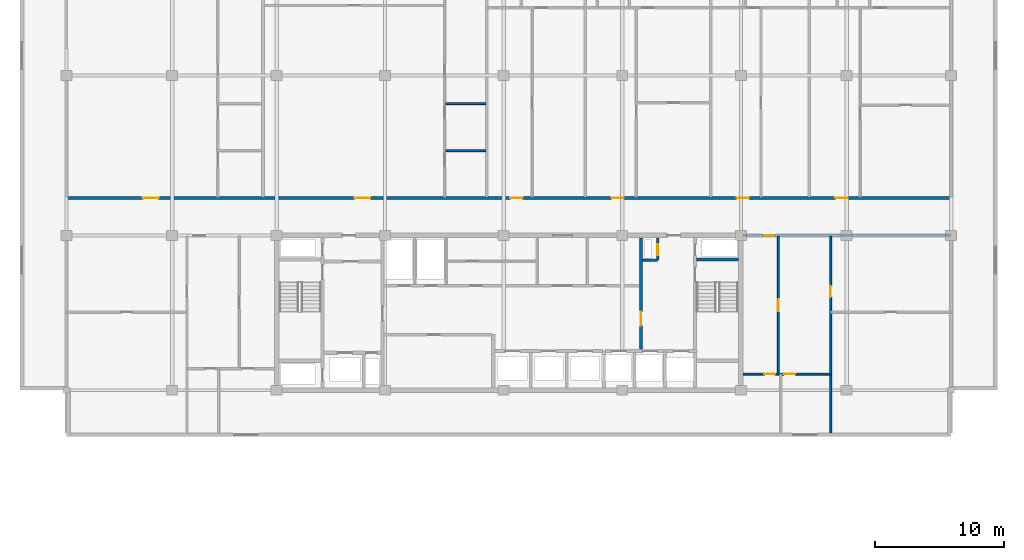
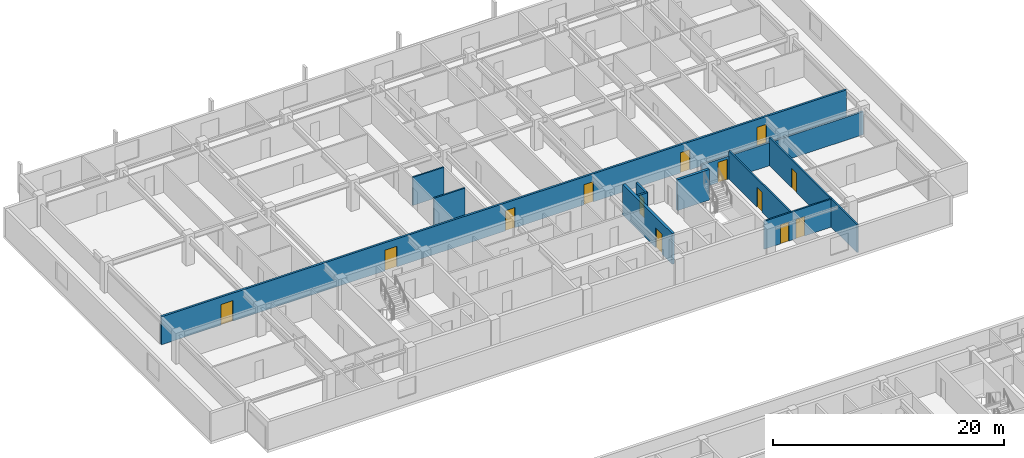
# One storey, part 12 of 21: 13 doors, 11 walls, 13 openings.
"""IFC4 building model written with IfcOpenShell, lengths in metres."""

from ifc_helpers import new_model, si_unit, direction, frame, frame_2d, origin, place, context, subcontext, project, spatial, rectangle, extrude, material, layer, layer_set, type_object, element, fill, save


model = new_model("IFC4")

# Units and contexts
model_context = context("Model", 3, precision=1e-05, world=origin(), true_north=direction((0.0, 1.0)))
body_context = subcontext(model_context, "Body", "Model", "MODEL_VIEW")
ifc_project = project(units=[si_unit("LENGTHUNIT", "METRE"), si_unit("AREAUNIT", "SQUARE_METRE"), si_unit("VOLUMEUNIT", "CUBIC_METRE"), si_unit("PLANEANGLEUNIT", "RADIAN"), si_unit("MASSUNIT", "GRAM", prefix="KILO")], contexts=[model_context])

# Site, building, storey
site_placement = place(None, origin())
site = spatial("IfcSite", under=ifc_project, at=site_placement, CompositionType="ELEMENT")
building_placement = place(site_placement, origin())
building = spatial("IfcBuilding", under=site, at=building_placement, Name="Korimba Cascade Residences", CompositionType="ELEMENT")
storey_placement = place(building_placement, frame((0.0, 0.0, 175.10009765625)))
storey = spatial("IfcBuildingStorey", under=building, at=storey_placement, Name="L50", CompositionType="ELEMENT", Elevation=175.10009765625)

# Wall, opening, door
ifc_material_1 = material(Name="Precast concrete C40/50", Category="concrete")
ifc_layer_1 = layer(ifc_material_1, 0.199951171875)
ifc_layer_set_1 = layer_set([ifc_layer_1], Name="Precast concrete C40/50")
wall_type_1 = type_object("IfcWallType", Name="WAL-IT-200", PredefinedType="PARTITIONING", material=ifc_layer_set_1)
wall_1_placement = place(storey_placement, frame((112.25, 67.199951171875, 0.0), z_axis=(0.0, 0.0, 1.0), x_axis=(1.0, 0.0, 0.0)))
wall_1 = element("IfcWall", 1, at=wall_1_placement, inside=storey, type_object=wall_type_1, Name="L50 Partition Wall WAL-L50-T1-FE-N", PredefinedType="PARTITIONING", context=body_context, shape_type="SweptSolid", body=[
    extrude(rectangle(XDim=16.14990234375, YDim=0.199951171875, at=frame_2d((8.074951171875, 0.0))), origin(), (0.0, 0.0, 1.0), 2.43310546875),
])
opening_1_placement = place(wall_1_placement, frame((1.580078125, 0.0, 0.0)))
opening_1 = element("IfcOpeningElement", 2, at=opening_1_placement, cuts=wall_1, Name="Opening D-UN1", PredefinedType="OPENING", context=body_context, shape_type="SweptSolid", body=[
    extrude(rectangle(XDim=0.949951171875, YDim=2.14990234375, at=frame_2d((0.47509765625, 1.074951171875))), frame((0.0, 0.10986328125, 0.0), z_axis=(0.0, -1.0, 0.0), x_axis=(1.0, 0.0, 0.0)), (0.0, 0.0, 1.0), 0.219970703125),
])
ifc_material_2 = material(Name="Fire-Rated Hardwood Apartment Entrance Door", Category="wood")
door_type_1 = type_object("IfcDoorType", Name="DR-FD60-950", OperationType="NOTDEFINED", PredefinedType="DOOR", material=ifc_material_2)
door_1_placement = place(opening_1_placement, origin())
door_1 = element("IfcDoor", 3, at=door_1_placement, inside=storey, type_object=door_type_1, Name="L50-T1-FE Entrance Door", OperationType="SINGLE_SWING_RIGHT", OverallHeight=2.14990234375, OverallWidth=0.949951171875, PredefinedType="DOOR", context=body_context, shape_type="SweptSolid", body=[
    extrude(rectangle(XDim=0.949951171875, YDim=2.14990234375, at=frame_2d((0.47509765625, 1.074951171875))), frame((0.0, 0.02490234375, 0.0), z_axis=(0.0, -1.0, 0.0), x_axis=(1.0, 0.0, 0.0)), (0.0, 0.0, 1.0), 0.050048828125),
])
fill(opening_1, door_1)

# Wall, openings, doors
wall_2_placement = place(storey_placement, frame((59.800048828125, 70.10009765625, 0.0), z_axis=(0.0, 0.0, 1.0), x_axis=(1.0, 0.0, 0.0)))
wall_2 = element("IfcWall", 4, at=wall_2_placement, inside=storey, type_object=wall_type_1, Name="L50 Partition Wall WAL-L50-T1-CORN", PredefinedType="PARTITIONING", context=body_context, shape_type="SweptSolid", body=[
    extrude(rectangle(XDim=68.599853515625, YDim=0.199951171875, at=frame_2d((34.2998046875, 0.0))), origin(), (0.0, 0.0, 1.0), 2.969970703125),
])
opening_2_placement = place(wall_2_placement, frame((5.9306640625, 0.0, 0.0)))
opening_2 = element("IfcOpeningElement", 5, at=opening_2_placement, cuts=wall_2, Name="Opening D-AM1", PredefinedType="OPENING", context=body_context, shape_type="SweptSolid", body=[
    extrude(rectangle(XDim=1.219970703125, YDim=2.179931640625, at=frame_2d((0.60986328125, 1.08984375))), frame((0.0, 0.10986328125, 0.0), z_axis=(0.0, -1.0, 0.0), x_axis=(1.0, 0.0, 0.0)), (0.0, 0.0, 1.0), 0.219970703125),
])
opening_3_placement = place(wall_2_placement, frame((22.347900390625, 0.0, 0.0)))
opening_3 = element("IfcOpeningElement", 6, at=opening_3_placement, cuts=wall_2, Name="Opening D-AM1", PredefinedType="OPENING", context=body_context, shape_type="SweptSolid", body=[
    extrude(rectangle(XDim=1.219970703125, YDim=2.179931640625, at=frame_2d((0.60986328125, 1.08984375))), frame((0.0, 0.10986328125, 0.0), z_axis=(0.0, -1.0, 0.0), x_axis=(1.0, 0.0, 0.0)), (0.0, 0.0, 1.0), 0.219970703125),
])
opening_4_placement = place(wall_2_placement, frame((34.421875, 0.0, 0.0)))
opening_4 = element("IfcOpeningElement", 7, at=opening_4_placement, cuts=wall_2, Name="Opening D-UN1", PredefinedType="OPENING", context=body_context, shape_type="SweptSolid", body=[
    extrude(rectangle(XDim=0.949951171875, YDim=2.14990234375, at=frame_2d((0.47509765625, 1.074951171875))), frame((0.0, 0.10986328125, 0.0), z_axis=(0.0, -1.0, 0.0), x_axis=(1.0, 0.0, 0.0)), (0.0, 0.0, 1.0), 0.219970703125),
])
opening_5_placement = place(wall_2_placement, frame((42.268798828125, 0.0, 0.0)))
opening_5 = element("IfcOpeningElement", 8, at=opening_5_placement, cuts=wall_2, Name="Opening D-UN1", PredefinedType="OPENING", context=body_context, shape_type="SweptSolid", body=[
    extrude(rectangle(XDim=0.949951171875, YDim=2.14990234375, at=frame_2d((0.47509765625, 1.074951171875))), frame((0.0, 0.10986328125, 0.0), z_axis=(0.0, -1.0, 0.0), x_axis=(1.0, 0.0, 0.0)), (0.0, 0.0, 1.0), 0.219970703125),
])
opening_6_placement = place(wall_2_placement, frame((51.971923828125, 0.0, 0.0)))
opening_6 = element("IfcOpeningElement", 9, at=opening_6_placement, cuts=wall_2, Name="Opening D-UN1", PredefinedType="OPENING", context=body_context, shape_type="SweptSolid", body=[
    extrude(rectangle(XDim=0.949951171875, YDim=2.14990234375, at=frame_2d((0.47509765625, 1.074951171875))), frame((0.0, 0.10986328125, 0.0), z_axis=(0.0, -1.0, 0.0), x_axis=(1.0, 0.0, 0.0)), (0.0, 0.0, 1.0), 0.219970703125),
])
opening_7_placement = place(wall_2_placement, frame((59.62890625, 0.0, 0.0)))
opening_7 = element("IfcOpeningElement", 10, at=opening_7_placement, cuts=wall_2, Name="Opening D-UN1", PredefinedType="OPENING", context=body_context, shape_type="SweptSolid", body=[
    extrude(rectangle(XDim=0.949951171875, YDim=2.14990234375, at=frame_2d((0.47509765625, 1.074951171875))), frame((0.0, 0.10986328125, 0.0), z_axis=(0.0, -1.0, 0.0), x_axis=(1.0, 0.0, 0.0)), (0.0, 0.0, 1.0), 0.219970703125),
])
ifc_material_3 = material(Name="Fire-Rated Glazed Timber Suite Door", Category="wood")
door_type_2 = type_object("IfcDoorType", Name="DR-FD60-1200", OperationType="NOTDEFINED", PredefinedType="DOOR", material=ifc_material_3)
door_2_placement = place(opening_2_placement, origin())
door_2 = element("IfcDoor", 11, at=door_2_placement, inside=storey, type_object=door_type_2, Name="L50-T1-U01 Business Collaboration Office Door", OperationType="SINGLE_SWING_RIGHT", OverallHeight=2.179931640625, OverallWidth=1.219970703125, PredefinedType="DOOR", context=body_context, shape_type="SweptSolid", body=[
    extrude(rectangle(XDim=1.219970703125, YDim=2.179931640625, at=frame_2d((0.60986328125, 1.08984375))), frame((0.0, 0.02490234375, 0.0), z_axis=(0.0, -1.0, 0.0), x_axis=(1.0, 0.0, 0.0)), (0.0, 0.0, 1.0), 0.050048828125),
])
fill(opening_2, door_2)
door_3_placement = place(opening_3_placement, origin())
door_3 = element("IfcDoor", 12, at=door_3_placement, inside=storey, type_object=door_type_2, Name="L50-T1-U02 Health Consultation Clinic Door", OperationType="SINGLE_SWING_LEFT", OverallHeight=2.179931640625, OverallWidth=1.219970703125, PredefinedType="DOOR", context=body_context, shape_type="SweptSolid", body=[
    extrude(rectangle(XDim=1.219970703125, YDim=2.179931640625, at=frame_2d((0.60986328125, 1.08984375))), frame((0.0, 0.02490234375, 0.0), z_axis=(0.0, -1.0, 0.0), x_axis=(1.0, 0.0, 0.0)), (0.0, 0.0, 1.0), 0.050048828125),
])
fill(opening_3, door_3)
door_4_placement = place(opening_4_placement, origin())
door_4 = element("IfcDoor", 13, at=door_4_placement, inside=storey, type_object=door_type_1, Name="Unit L50-T1-U03 Entrance Door", OperationType="SINGLE_SWING_RIGHT", OverallHeight=2.14990234375, OverallWidth=0.949951171875, PredefinedType="DOOR", context=body_context, shape_type="SweptSolid", body=[
    extrude(rectangle(XDim=0.949951171875, YDim=2.14990234375, at=frame_2d((0.47509765625, 1.074951171875))), frame((0.0, 0.02490234375, 0.0), z_axis=(0.0, -1.0, 0.0), x_axis=(1.0, 0.0, 0.0)), (0.0, 0.0, 1.0), 0.050048828125),
])
fill(opening_4, door_4)
door_5_placement = place(opening_5_placement, origin())
door_5 = element("IfcDoor", 14, at=door_5_placement, inside=storey, type_object=door_type_1, Name="Unit L50-T1-U04 Entrance Door", OperationType="SINGLE_SWING_LEFT", OverallHeight=2.14990234375, OverallWidth=0.949951171875, PredefinedType="DOOR", context=body_context, shape_type="SweptSolid", body=[
    extrude(rectangle(XDim=0.949951171875, YDim=2.14990234375, at=frame_2d((0.47509765625, 1.074951171875))), frame((0.0, 0.02490234375, 0.0), z_axis=(0.0, -1.0, 0.0), x_axis=(1.0, 0.0, 0.0)), (0.0, 0.0, 1.0), 0.050048828125),
])
fill(opening_5, door_5)
door_6_placement = place(opening_6_placement, origin())
door_6 = element("IfcDoor", 15, at=door_6_placement, inside=storey, type_object=door_type_1, Name="Unit L50-T1-U05 Entrance Door", OperationType="SINGLE_SWING_RIGHT", OverallHeight=2.14990234375, OverallWidth=0.949951171875, PredefinedType="DOOR", context=body_context, shape_type="SweptSolid", body=[
    extrude(rectangle(XDim=0.949951171875, YDim=2.14990234375, at=frame_2d((0.47509765625, 1.074951171875))), frame((0.0, 0.02490234375, 0.0), z_axis=(0.0, -1.0, 0.0), x_axis=(1.0, 0.0, 0.0)), (0.0, 0.0, 1.0), 0.050048828125),
])
fill(opening_6, door_6)
door_7_placement = place(opening_7_placement, origin())
door_7 = element("IfcDoor", 16, at=door_7_placement, inside=storey, type_object=door_type_1, Name="Unit L50-T1-U06 Entrance Door", OperationType="SINGLE_SWING_LEFT", OverallHeight=2.14990234375, OverallWidth=0.949951171875, PredefinedType="DOOR", context=body_context, shape_type="SweptSolid", body=[
    extrude(rectangle(XDim=0.949951171875, YDim=2.14990234375, at=frame_2d((0.47509765625, 1.074951171875))), frame((0.0, 0.02490234375, 0.0), z_axis=(0.0, -1.0, 0.0), x_axis=(1.0, 0.0, 0.0)), (0.0, 0.0, 1.0), 0.050048828125),
])
fill(opening_7, door_7)

# Wall, opening, door
ifc_material_4 = material(Name="Insulated Acoustic Stud Partition", Category="gypsum")
ifc_layer_2 = layer(ifc_material_4, 0.14990234375)
ifc_layer_set_2 = layer_set([ifc_layer_2], Name="Insulated Acoustic Stud Partition")
wall_type_2 = type_object("IfcWallType", Name="WAL-PART-150", PredefinedType="PARTITIONING", material=ifc_layer_set_2)
wall_3_placement = place(storey_placement, frame((119.050048828125, 51.89990234375, 0.0), z_axis=(0.0, 0.0, 1.0), x_axis=(0.0, 1.0, 0.0)))
wall_3 = element("IfcWall", 17, at=wall_3_placement, inside=storey, type_object=wall_type_2, Name="L50 Partition Wall WAL-L50-T1-FE-STV", PredefinedType="PARTITIONING", context=body_context, shape_type="SweptSolid", body=[
    extrude(rectangle(XDim=15.25, YDim=0.14990234375, at=frame_2d((7.625, 0.0))), origin(), (0.0, 0.0, 1.0), 2.969970703125),
])
opening_8_placement = place(wall_3_placement, frame((10.5, 0.0, 0.0)))
opening_8 = element("IfcOpeningElement", 18, at=opening_8_placement, cuts=wall_3, Name="Opening D-IN2", PredefinedType="OPENING", context=body_context, shape_type="SweptSolid", body=[
    extrude(rectangle(XDim=0.8798828125, YDim=2.06005859375, at=frame_2d((0.43994140625, 1.030029296875))), frame((0.0, 0.0849609375, 0.0), z_axis=(0.0, -1.0, 0.0), x_axis=(1.0, 0.0, 0.0)), (0.0, 0.0, 1.0), 0.169921875),
])
ifc_material_5 = material(Name="Acoustic Timber Bedroom Door", Category="wood")
door_type_3 = type_object("IfcDoorType", Name="DR-INT-880", OperationType="NOTDEFINED", PredefinedType="DOOR", material=ifc_material_5)
door_8_placement = place(opening_8_placement, origin())
door_8 = element("IfcDoor", 19, at=door_8_placement, inside=storey, type_object=door_type_3, Name="L50-T1-FE Study Door", OperationType="SINGLE_SWING_RIGHT", OverallHeight=2.06005859375, OverallWidth=0.8798828125, PredefinedType="DOOR", context=body_context, shape_type="SweptSolid", body=[
    extrude(rectangle(XDim=0.8798828125, YDim=2.06005859375, at=frame_2d((0.43994140625, 1.030029296875))), frame((0.0, 0.02490234375, 0.0), z_axis=(0.0, -1.0, 0.0), x_axis=(1.0, 0.0, 0.0)), (0.0, 0.0, 1.0), 0.050048828125),
])
fill(opening_8, door_8)

wall_4_placement = place(storey_placement, frame((115.0, 56.449951171875, 0.0), z_axis=(0.0, 0.0, 1.0), x_axis=(0.0, 1.0, 0.0)))
wall_4 = element("IfcWall", 20, at=wall_4_placement, inside=storey, type_object=wall_type_2, Name="L50 Partition Wall WAL-L50-T1-FE-VN", PredefinedType="PARTITIONING", context=body_context, shape_type="SweptSolid", body=[
    extrude(rectangle(XDim=10.699951171875, YDim=0.14990234375, at=frame_2d((5.35009765625, 0.0))), origin(), (0.0, 0.0, 1.0), 2.969970703125),
])
opening_9_placement = place(wall_4_placement, frame((4.889892578125, 0.0, 0.0)))
opening_9 = element("IfcOpeningElement", 21, at=opening_9_placement, cuts=wall_4, Name="Opening D-IN1", PredefinedType="OPENING", context=body_context, shape_type="SweptSolid", body=[
    extrude(rectangle(XDim=0.919921875, YDim=2.080078125, at=frame_2d((0.4599609375, 1.0400390625))), frame((0.0, 0.0849609375, 0.0), z_axis=(0.0, -1.0, 0.0), x_axis=(1.0, 0.0, 0.0)), (0.0, 0.0, 1.0), 0.169921875),
])
ifc_material_6 = material(Name="Acoustic Timber Living Door", Category="wood")
door_type_4 = type_object("IfcDoorType", Name="DR-INT-920", OperationType="NOTDEFINED", PredefinedType="DOOR", material=ifc_material_6)
door_9_placement = place(opening_9_placement, origin())
door_9 = element("IfcDoor", 22, at=door_9_placement, inside=storey, type_object=door_type_4, Name="L50-T1-FE Living Door", OperationType="SINGLE_SWING_LEFT", OverallHeight=2.080078125, OverallWidth=0.919921875, PredefinedType="DOOR", context=body_context, shape_type="SweptSolid", body=[
    extrude(rectangle(XDim=0.919921875, YDim=2.080078125, at=frame_2d((0.4599609375, 1.0400390625))), frame((0.0, 0.02490234375, 0.0), z_axis=(0.0, -1.0, 0.0), x_axis=(1.0, 0.0, 0.0)), (0.0, 0.0, 1.0), 0.050048828125),
])
fill(opening_9, door_9)

# Wall, openings, doors
wall_5_placement = place(storey_placement, frame((112.27001953125, 56.449951171875, 0.0), z_axis=(0.0, 0.0, 1.0), x_axis=(1.0, 0.0, 0.0)))
wall_5 = element("IfcWall", 23, at=wall_5_placement, inside=storey, type_object=wall_type_2, Name="L50 Partition Wall WAL-L50-T1-FE-H", PredefinedType="PARTITIONING", context=body_context, shape_type="SweptSolid", body=[
    extrude(rectangle(XDim=6.760009765625, YDim=0.14990234375, at=frame_2d((3.3798828125, 0.0))), origin(), (0.0, 0.0, 1.0), 2.969970703125),
])
opening_10_placement = place(wall_5_placement, frame((1.6396484375, 0.0, 0.0)))
opening_10 = element("IfcOpeningElement", 24, at=opening_10_placement, cuts=wall_5, Name="Opening D-BT1", PredefinedType="OPENING", context=body_context, shape_type="SweptSolid", body=[
    extrude(rectangle(XDim=0.840087890625, YDim=2.0400390625, at=frame_2d((0.419921875, 1.02001953125))), frame((0.0, 0.0849609375, 0.0), z_axis=(0.0, -1.0, 0.0), x_axis=(1.0, 0.0, 0.0)), (0.0, 0.0, 1.0), 0.169921875),
])
opening_11_placement = place(wall_5_placement, frame((3.160400390625, 0.0, 0.0)))
opening_11 = element("IfcOpeningElement", 25, at=opening_11_placement, cuts=wall_5, Name="Opening D-IN2", PredefinedType="OPENING", context=body_context, shape_type="SweptSolid", body=[
    extrude(rectangle(XDim=0.8798828125, YDim=2.06005859375, at=frame_2d((0.43994140625, 1.030029296875))), frame((0.0, 0.0849609375, 0.0), z_axis=(0.0, -1.0, 0.0), x_axis=(1.0, 0.0, 0.0)), (0.0, 0.0, 1.0), 0.169921875),
])
ifc_material_7 = material(Name="Moisture-Resistant Bathroom Timber Door", Category="wood")
door_type_5 = type_object("IfcDoorType", Name="DR-INT-850", OperationType="NOTDEFINED", PredefinedType="DOOR", material=ifc_material_7)
door_10_placement = place(opening_10_placement, origin())
door_10 = element("IfcDoor", 26, at=door_10_placement, inside=storey, type_object=door_type_5, Name="L50-T1-FE Bathroom Door", OperationType="SINGLE_SWING_RIGHT", OverallHeight=2.0400390625, OverallWidth=0.840087890625, PredefinedType="DOOR", context=body_context, shape_type="SweptSolid", body=[
    extrude(rectangle(XDim=0.840087890625, YDim=2.0400390625, at=frame_2d((0.419921875, 1.02001953125))), frame((0.0, 0.02490234375, 0.0), z_axis=(0.0, -1.0, 0.0), x_axis=(1.0, 0.0, 0.0)), (0.0, 0.0, 1.0), 0.050048828125),
])
fill(opening_10, door_10)
door_11_placement = place(opening_11_placement, origin())
door_11 = element("IfcDoor", 27, at=door_11_placement, inside=storey, type_object=door_type_3, Name="L50-T1-FE Bedroom Door", OperationType="SINGLE_SWING_LEFT", OverallHeight=2.06005859375, OverallWidth=0.8798828125, PredefinedType="DOOR", context=body_context, shape_type="SweptSolid", body=[
    extrude(rectangle(XDim=0.8798828125, YDim=2.06005859375, at=frame_2d((0.43994140625, 1.030029296875))), frame((0.0, 0.02490234375, 0.0), z_axis=(0.0, -1.0, 0.0), x_axis=(1.0, 0.0, 0.0)), (0.0, 0.0, 1.0), 0.050048828125),
])
fill(opening_11, door_11)

# Walls
for number, where, z_axis, x_axis, name in (
    (28, (89.194580078125, 73.77001953125, 0.0), (0.0, 0.0, 1.0), (1.0, 0.0, 0.0), "L50 Partition Wall WAL-L50-T1-U02-WCH"),
    (29, (89.194580078125, 77.419921875, 0.0), (0.0, 0.0, 1.0), (1.0, 0.0, 0.0), "L50 Partition Wall WAL-L50-T1-U02-WCH2"),
):
    element("IfcWall", number, at=place(storey_placement, frame(where, z_axis=z_axis, x_axis=x_axis)), inside=storey, type_object=wall_type_2, Name=name, PredefinedType="PARTITIONING", context=body_context, shape_type="SweptSolid", body=[
        extrude(rectangle(XDim=3.130126953125, YDim=0.14990234375, at=frame_2d((1.56494140625, 0.0))), origin(), (0.0, 0.0, 1.0), 2.969970703125),
    ])
ifc_material_8 = material(Name="Concrete C40/50", Category="concrete")
ifc_layer_3 = layer(ifc_material_8, 0.199951171875)
ifc_layer_set_3 = layer_set([ifc_layer_3], Name="Concrete C40/50")
wall_type_3 = type_object("IfcWallType", Name="WAL-PART-200", PredefinedType="PARTITIONING", material=ifc_layer_set_3)
wall_6_placement = place(storey_placement, frame((104.449951171875, 65.280029296875, 0.0), z_axis=(0.0, 0.0, 1.0), x_axis=(1.0, 0.0, 0.0)))
element("IfcWall", 30, at=wall_6_placement, inside=storey, type_object=wall_type_3, Name="L50 Partition Wall CW-L50-T1-HYDW2S", PredefinedType="PARTITIONING", context=body_context, shape_type="SweptSolid", body=[
    extrude(rectangle(XDim=1.199951171875, YDim=0.199951171875, at=frame_2d((0.60009765625, 0.0))), origin(), (0.0, 0.0, 1.0), 2.969970703125),
])

# Wall, opening, door
wall_7_placement = place(storey_placement, frame((105.64990234375, 65.280029296875, 0.0), z_axis=(0.0, 0.0, 1.0), x_axis=(0.0, 1.0, 0.0)))
wall_7 = element("IfcWall", 31, at=wall_7_placement, inside=storey, type_object=wall_type_3, Name="L50 Partition Wall CW-L50-T1-HYDW2E", PredefinedType="PARTITIONING", context=body_context, shape_type="SweptSolid", body=[
    extrude(rectangle(XDim=1.719970703125, YDim=0.199951171875, at=frame_2d((0.85986328125, 0.0))), origin(), (0.0, 0.0, 1.0), 2.969970703125),
])
opening_12_placement = place(wall_7_placement, frame((0.39990234375, 0.0, 0.0)))
opening_12 = element("IfcOpeningElement", 32, at=opening_12_placement, cuts=wall_7, Name="Opening D-RS1", PredefinedType="OPENING", context=body_context, shape_type="SweptSolid", body=[
    extrude(rectangle(XDim=0.85009765625, YDim=2.050048828125, at=frame_2d((0.425048828125, 1.02490234375))), frame((0.0, 0.10986328125, 0.0), z_axis=(0.0, -1.0, 0.0), x_axis=(1.0, 0.0, 0.0)), (0.0, 0.0, 1.0), 0.219970703125),
])
ifc_material_9 = material(Name="Fire-Rated Steel Riser Access Door", Category="steel")
door_type_6 = type_object("IfcDoorType", Name="DR-FD60-850", OperationType="NOTDEFINED", PredefinedType="DOOR", material=ifc_material_9)
door_12_placement = place(opening_12_placement, origin())
door_12 = element("IfcDoor", 33, at=door_12_placement, inside=storey, type_object=door_type_6, Name="L50 East Hydrant Door", OperationType="SINGLE_SWING_LEFT", OverallHeight=2.050048828125, OverallWidth=0.85009765625, PredefinedType="DOOR", context=body_context, shape_type="SweptSolid", body=[
    extrude(rectangle(XDim=0.85009765625, YDim=2.050048828125, at=frame_2d((0.425048828125, 1.02490234375))), frame((0.0, 0.02490234375, 0.0), z_axis=(0.0, -1.0, 0.0), x_axis=(1.0, 0.0, 0.0)), (0.0, 0.0, 1.0), 0.050048828125),
])
fill(opening_12, door_12)

ifc_material_10 = material(Name="Concrete C50/60", Category="concrete")
ifc_layer_4 = layer(ifc_material_10, 0.25)
ifc_layer_set_4 = layer_set([ifc_layer_4], Name="Concrete C50/60")
wall_type_4 = type_object("IfcWallType", Name="WAL-SHAFT-250", PredefinedType="SHEAR", material=ifc_layer_set_4)
wall_8_placement = place(storey_placement, frame((104.35009765625, 58.39990234375, 0.0), z_axis=(0.0, 0.0, 1.0), x_axis=(0.0, 1.0, 0.0)))
wall_8 = element("IfcWall", 34, at=wall_8_placement, inside=storey, type_object=wall_type_4, Name="L50 Core Shear Wall CW-L50-T1-LLEV", PredefinedType="SHEAR", context=body_context, shape_type="SweptSolid", body=[
    extrude(rectangle(XDim=8.60009765625, YDim=0.25, at=frame_2d((4.300048828125, 0.0))), origin(), (0.0, 0.0, 1.0), 3.25),
])
opening_13_placement = place(wall_8_placement, frame((1.800048828125, 0.0, 0.0)))
opening_13 = element("IfcOpeningElement", 35, at=opening_13_placement, cuts=wall_8, Name="Opening D-FD1", PredefinedType="OPENING", context=body_context, shape_type="SweptSolid", body=[
    extrude(rectangle(XDim=1.10009765625, YDim=2.10009765625, at=frame_2d((0.550048828125, 1.050048828125))), frame((0.0, 0.135009765625, 0.0), z_axis=(0.0, -1.0, 0.0), x_axis=(1.0, 0.0, 0.0)), (0.0, 0.0, 1.0), 0.27001953125),
])
ifc_material_11 = material(Name="Fire-Rated Steel Core Door", Category="steel")
door_type_7 = type_object("IfcDoorType", Name="DR-FD120-1100", OperationType="NOTDEFINED", PredefinedType="DOOR", material=ifc_material_11)
door_13_placement = place(opening_13_placement, origin())
door_13 = element("IfcDoor", 36, at=door_13_placement, inside=storey, type_object=door_type_7, Name="L50 Lift Lobby to East Firefighting Lobby Door", OperationType="SINGLE_SWING_RIGHT", OverallHeight=2.10009765625, OverallWidth=1.10009765625, PredefinedType="DOOR", context=body_context, shape_type="SweptSolid", body=[
    extrude(rectangle(XDim=1.10009765625, YDim=2.10009765625, at=frame_2d((0.550048828125, 1.050048828125))), frame((0.0, 0.02490234375, 0.0), z_axis=(0.0, -1.0, 0.0), x_axis=(1.0, 0.0, 0.0)), (0.0, 0.0, 1.0), 0.050048828125),
])
fill(opening_13, door_13)

# Wall
wall_9_placement = place(storey_placement, frame((108.659912109375, 65.324951171875, 0.0), z_axis=(0.0, 0.0, 1.0), x_axis=(1.0, 0.0, 0.0)))
element("IfcWall", 37, at=wall_9_placement, inside=storey, type_object=wall_type_4, Name="L50 Core Shear Wall CW-L50-T1-STW2N", PredefinedType="SHEAR", context=body_context, shape_type="SweptSolid", body=[
    extrude(rectangle(XDim=3.239990234375, YDim=0.25, at=frame_2d((1.6201171875, 0.0))), origin(), (0.0, 0.0, 1.0), 3.25),
])

save(model, "model.ifc")
